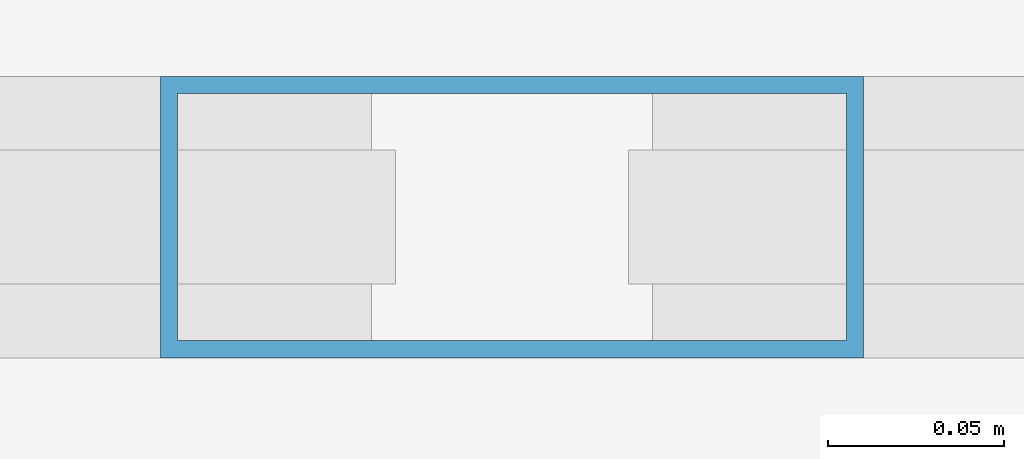
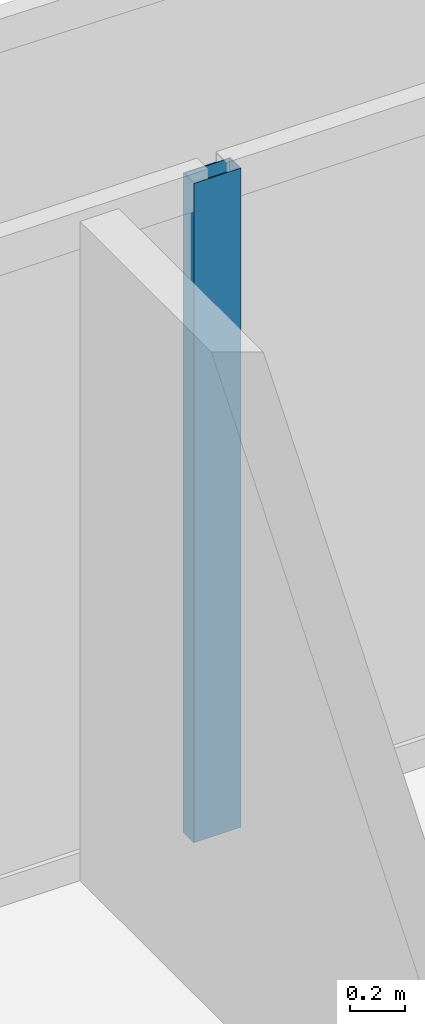
# One storey, part 12 of 21: 1 member, 1 element without a shape of its own.
"""IFC4 building model written with IfcOpenShell, lengths in metres."""

import ifcopenshell
import ifcopenshell.guid

model = None  # the IFC model being written
_history = None  # IfcOwnerHistory: only IFC2X3 demands one
_inside = {}  # id of a spatial element -> (the spatial element, [elements in it])
_under = {}  # id of a project, library or spatial element -> (it, [spatial elements below it])
_declared = {}  # id of a project -> (the project, [libraries it declares])
_typed = {}  # id of a type object -> (the type object, [elements of that type])
_made_of = {}  # id of a material, layer set ... -> (it, [elements and type objects made of it])


def new_model(schema):
    """Start an empty IFC model of exactly this schema.

    Asked for "IFC4X3", IfcOpenShell would pick the latest addendum, in which some entities
    have other attributes; the version numbers below select the first issue.
    IFC2X3 requires an IfcOwnerHistory on every rooted entity: one is made here for all.
    """
    global model, _history
    if schema == "IFC4X3":
        model = ifcopenshell.file(schema_version=(4, 3, 0, 0))
    else:
        model = ifcopenshell.file(schema=schema)
    _inside.clear()
    _under.clear()
    _declared.clear()
    _typed.clear()
    _made_of.clear()
    _history = None
    if model.schema == "IFC2X3":
        org = make("IfcOrganization", Name="unknown")
        user = make(
            "IfcPersonAndOrganization",
            ThePerson=make("IfcPerson", FamilyName="unknown"),
            TheOrganization=org,
        )
        app = make(
            "IfcApplication",
            ApplicationDeveloper=org,
            Version="unknown",
            ApplicationFullName="unknown",
            ApplicationIdentifier="unknown",
        )
        _history = make(
            "IfcOwnerHistory",
            OwningUser=user,
            OwningApplication=app,
            ChangeAction="ADDED",
            CreationDate=0,
        )
    return model


def make(cls, **values):
    """One entity of the class cls with the attributes given. An attribute that is None is left unset."""
    return model.create_entity(
        cls, **{name: value for name, value in values.items() if value is not None}
    )


def rooted(cls, **values):
    """An entity with a GlobalId (a new one), such as an element, a storey or a relation."""
    return make(cls, GlobalId=ifcopenshell.guid.new(), OwnerHistory=_history, **values)


def si_unit(unit_type, name, prefix=None):
    """IfcSIUnit, for example si_unit("LENGTHUNIT", "METRE", prefix="MILLI")."""
    return make("IfcSIUnit", UnitType=unit_type, Prefix=prefix, Name=name)


def assignment(units):
    """IfcUnitAssignment: the units of a project."""
    return None if units is None else make("IfcUnitAssignment", Units=units)


def point(xyz):
    """IfcCartesianPoint."""
    return None if xyz is None else make("IfcCartesianPoint", Coordinates=xyz)


def direction(xyz):
    """IfcDirection."""
    return None if xyz is None else make("IfcDirection", DirectionRatios=xyz)


def frame(location, z_axis=None, x_axis=None):
    """IfcAxis2Placement3D, a coordinate frame: its origin and axes. An axis left out is left unset."""
    return make(
        "IfcAxis2Placement3D",
        Location=point(location),
        Axis=direction(z_axis),
        RefDirection=direction(x_axis),
    )


def frame_2d(location, x_axis=None):
    """IfcAxis2Placement2D, a coordinate frame in the plane: its origin and x axis."""
    return make(
        "IfcAxis2Placement2D", Location=point(location), RefDirection=direction(x_axis)
    )


def origin():
    """The frame at (0, 0, 0) with its axes left unset."""
    return frame((0.0, 0.0, 0.0))


def origin_2d():
    """The frame at (0, 0) in the plane with its x axis left unset."""
    return frame_2d((0.0, 0.0))


def place(relative_to, where):
    """IfcLocalPlacement: puts the frame where relative to a parent placement (None: the world)."""
    return make(
        "IfcLocalPlacement", PlacementRelTo=relative_to, RelativePlacement=where
    )


def context(
    kind, dimensions, precision=None, world=None, true_north=None, identifier=None
):
    """IfcGeometricRepresentationContext, for example the 3D "Model" context."""
    return make(
        "IfcGeometricRepresentationContext",
        ContextIdentifier=identifier,
        ContextType=kind,
        CoordinateSpaceDimension=dimensions,
        Precision=precision,
        WorldCoordinateSystem=world,
        TrueNorth=true_north,
    )


def subcontext(parent, identifier, kind, view, scale=None):
    """IfcGeometricRepresentationSubContext, for example "Body" below "Model"."""
    return make(
        "IfcGeometricRepresentationSubContext",
        ContextIdentifier=identifier,
        ContextType=kind,
        ParentContext=parent,
        TargetScale=scale,
        TargetView=view,
    )


def project(units=None, contexts=None):
    """IfcProject with its units and contexts."""
    return rooted(
        "IfcProject",
        Name="project",
        RepresentationContexts=contexts,
        UnitsInContext=assignment(units),
    )


def spatial(cls, under=None, at=None, **own):
    """A site, building, storey or space (cls), placed at a placement, below another one or the project."""
    s = rooted(cls, ObjectPlacement=at, **own)
    if under is not None:
        _under.setdefault(under.id(), (under, []))[1].append(s)
    return s


def profile(cls, at=None, kind="AREA", **sizes):
    """A parametric profile (cls). Its sizes go by their IFC names, for example OverallWidth=200.0."""
    return make(cls, ProfileType=kind, Position=at, **sizes)


def hollow_rectangle(**sizes):
    """IfcRectangleHollowProfileDef."""
    return profile("IfcRectangleHollowProfileDef", **sizes)


def extrude(swept, where, along, depth):
    """IfcExtrudedAreaSolid: the profile swept, set in the frame where, extruded along a direction by depth."""
    return make(
        "IfcExtrudedAreaSolid",
        SweptArea=swept,
        Position=where,
        ExtrudedDirection=direction(along),
        Depth=depth,
    )


def shape(context_of_items, identifier, shape_type, items):
    """IfcShapeRepresentation: the items that make up one representation, for example the "Body"."""
    return make(
        "IfcShapeRepresentation",
        ContextOfItems=context_of_items,
        RepresentationIdentifier=identifier,
        RepresentationType=shape_type,
        Items=items,
    )


def source(mapping_origin, context_of_items, identifier, shape_type, items):
    """IfcRepresentationMap: a shape defined once, which mapped items show again and again."""
    return make(
        "IfcRepresentationMap",
        MappingOrigin=mapping_origin,
        MappedRepresentation=shape(context_of_items, identifier, shape_type, items),
    )


def transform(
    local_origin,
    x_axis=None,
    y_axis=None,
    z_axis=None,
    scale=None,
    scale2=None,
    scale3=None,
    uniform=True,
):
    """IfcCartesianTransformationOperator3D, or its non-uniform kind. x_axis, y_axis, z_axis: its Axis1, 2, 3."""
    if uniform:
        return make(
            "IfcCartesianTransformationOperator3D",
            Axis1=direction(x_axis),
            Axis2=direction(y_axis),
            LocalOrigin=point(local_origin),
            Scale=scale,
            Axis3=direction(z_axis),
        )
    return make(
        "IfcCartesianTransformationOperator3DnonUniform",
        Axis1=direction(x_axis),
        Axis2=direction(y_axis),
        LocalOrigin=point(local_origin),
        Scale=scale,
        Axis3=direction(z_axis),
        Scale2=scale2,
        Scale3=scale3,
    )


def mapped(mapping_source, mapping_target):
    """IfcMappedItem: shows the shape of a source again, moved by a transform."""
    return make(
        "IfcMappedItem", MappingSource=mapping_source, MappingTarget=mapping_target
    )


def material(Name=None, Category=None):
    """IfcMaterial."""
    return make("IfcMaterial", Name=Name, Category=Category)


def layer(
    of_material, thickness, ventilated=None, Name=None, Category=None, Priority=None
):
    """IfcMaterialLayer: one layer of a wall or slab, of a material (None: an air gap)."""
    return make(
        "IfcMaterialLayer",
        Material=of_material,
        LayerThickness=thickness,
        IsVentilated=ventilated,
        Name=Name,
        Category=Category,
        Priority=Priority,
    )


def layer_set(layers, Name=None):
    """IfcMaterialLayerSet."""
    return make("IfcMaterialLayerSet", MaterialLayers=layers, LayerSetName=Name)


def material_profile(
    of_material, cross_section, Name=None, Category=None, Priority=None
):
    """IfcMaterialProfile: a cross section and its material."""
    return make(
        "IfcMaterialProfile",
        Name=Name,
        Material=of_material,
        Profile=cross_section,
        Priority=Priority,
        Category=Category,
    )


def profile_set(profiles, Name=None, composite=None):
    """IfcMaterialProfileSet."""
    return make(
        "IfcMaterialProfileSet",
        Name=Name,
        MaterialProfiles=profiles,
        CompositeProfile=composite,
    )


def made_of(thing, what):
    """Note that an element or type object is made of a material, layer set ...; save() writes the relation."""
    if what is not None:
        _made_of.setdefault(what.id(), (what, []))[1].append(thing)
    return thing


def type_object(cls, material=None, **own):
    """A type object (cls), such as IfcWallType, which elements share."""
    return made_of(rooted(cls, **own), material)


def element(
    cls,
    number,
    at=None,
    inside=None,
    cuts=None,
    type_object=None,
    material=None,
    context=None,
    identifier="Body",
    shape_type=None,
    held_by="IfcProductDefinitionShape",
    body=None,
    shapes=None,
    **own,
):
    """One element of the class cls, such as IfcWall. Its Tag is "e" and its number.

    at: its placement. inside: the storey or other place that contains it. cuts: it is an
    opening in that element (IfcRelVoidsElement). A single representation is given by context,
    identifier, shape_type and body (its items); several are given by shapes. held_by: the class
    of the entity that holds the representations. save() writes the other relations.
    """
    e = rooted(cls, Tag="e%d" % number, ObjectPlacement=at, **own)
    if body is not None:
        shapes = [shape(context, identifier, shape_type, body)]
    if shapes is not None:
        e.Representation = make(held_by, Representations=shapes)
    if inside is not None:
        _inside.setdefault(inside.id(), (inside, []))[1].append(e)
    if cuts is not None:
        rooted(
            "IfcRelVoidsElement", RelatingBuildingElement=cuts, RelatedOpeningElement=e
        )
    if type_object is not None:
        _typed.setdefault(type_object.id(), (type_object, []))[1].append(e)
    return made_of(e, material)


def aggregate(whole, parts):
    """IfcRelAggregates: a whole, such as a stair, and the parts it consists of."""
    return rooted("IfcRelAggregates", RelatingObject=whole, RelatedObjects=parts)


def save(model, path):
    """Write the relations noted so far, then the file.

    IfcRelAggregates (storeys below a building ...), IfcRelContainedInSpatialStructure (elements
    in a storey), IfcRelDefinesByType, IfcRelAssociatesMaterial and IfcRelDeclares: one each for
    every whole, place, type object, material and project.
    """
    for whole, parts in _under.values():
        aggregate(whole, parts)
    for where, things in _inside.values():
        rooted(
            "IfcRelContainedInSpatialStructure",
            RelatedElements=things,
            RelatingStructure=where,
        )
    for kind, things in _typed.values():
        rooted("IfcRelDefinesByType", RelatedObjects=things, RelatingType=kind)
    for what, things in _made_of.values():
        rooted("IfcRelAssociatesMaterial", RelatedObjects=things, RelatingMaterial=what)
    for by, libraries in _declared.values():
        rooted("IfcRelDeclares", RelatingContext=by, RelatedDefinitions=libraries)
    model.write(path)


model = new_model("IFC4")

# Units and contexts
model_context = context("Model", 3, precision=1e-05, world=origin(), true_north=direction((0.0, 1.0)))
body_context = subcontext(model_context, "Body", "Model", "MODEL_VIEW")
ifc_project = project(units=[si_unit("LENGTHUNIT", "METRE"), si_unit("AREAUNIT", "SQUARE_METRE"), si_unit("VOLUMEUNIT", "CUBIC_METRE"), si_unit("PLANEANGLEUNIT", "RADIAN"), si_unit("MASSUNIT", "GRAM", prefix="KILO")], contexts=[model_context])

# Site, building, storey
site_placement = place(None, origin())
site = spatial("IfcSite", under=ifc_project, at=site_placement, CompositionType="ELEMENT")
building_placement = place(site_placement, origin())
building = spatial("IfcBuilding", under=site, at=building_placement, Name="Kolveth Station Tower", CompositionType="ELEMENT")
storey_placement = place(building_placement, frame((0.0, 0.0, 127.89990234375)))
storey = spatial("IfcBuildingStorey", under=building, at=storey_placement, Name="L35", CompositionType="ELEMENT", Elevation=127.89990234375)

# Curtain wall, member
ifc_material_1 = material(Name="Aluminium 6063-T6 and low-E dark glass", Category="aluminium")
ifc_layer = layer(ifc_material_1, 0.18994140625)
ifc_layer_set = layer_set([ifc_layer], Name="Aluminium 6063-T6 and low-E dark glass")
curtain_wall_type = type_object("IfcCurtainWallType", Name="CurtainWall_CW-Z2", PredefinedType="NOTDEFINED", material=ifc_layer_set)
curtain_wall_placement = place(storey_placement, origin())
curtain_wall = element("IfcCurtainWall", 1, at=curtain_wall_placement, inside=storey, type_object=curtain_wall_type, Name="L35 Inner Thermal Curtain Wall 6", PredefinedType="NOTDEFINED")
ifc_material_2 = material(Name="Black anodized aluminium 6063-T6", Category="aluminium")
ifc_material_profile = material_profile(ifc_material_2, hollow_rectangle(XDim=0.080078125, YDim=0.199951171875, WallThickness=0.0048828125, at=origin_2d()), Name="ALU-80x200x5")
ifc_profile_set = profile_set([ifc_material_profile], Name="Black anodized aluminium 6063-T6")
member_type = type_object("IfcMemberType", Name="Mullion_ML2", PredefinedType="MULLION", material=ifc_profile_set)
shared_shape = source(origin(), body_context, "Body", "SweptSolid", [
    extrude(hollow_rectangle(XDim=0.080078125, YDim=0.199951171875, WallThickness=0.0048828125, at=origin_2d()), origin(), (0.0, 0.0, 1.0), 2.9501953125),
])
member_placement = place(storey_placement, frame((23.5, 35.179931640625, 0.0), z_axis=(0.0, 0.0, 1.0), x_axis=(0.0, -1.0, 0.0)))
member = element("IfcMember", 2, at=member_placement, type_object=member_type, Name="CW-Z2 mullion 2", PredefinedType="MULLION", context=body_context, shape_type="MappedRepresentation", body=[
    mapped(shared_shape, transform((0.0, 0.0, 0.0), x_axis=(1.0, 0.0, 0.0), y_axis=(0.0, 1.0, 0.0), z_axis=(0.0, 0.0, 1.0), scale=1.0)),
])
aggregate(curtain_wall, [member])

save(model, "model.ifc")
